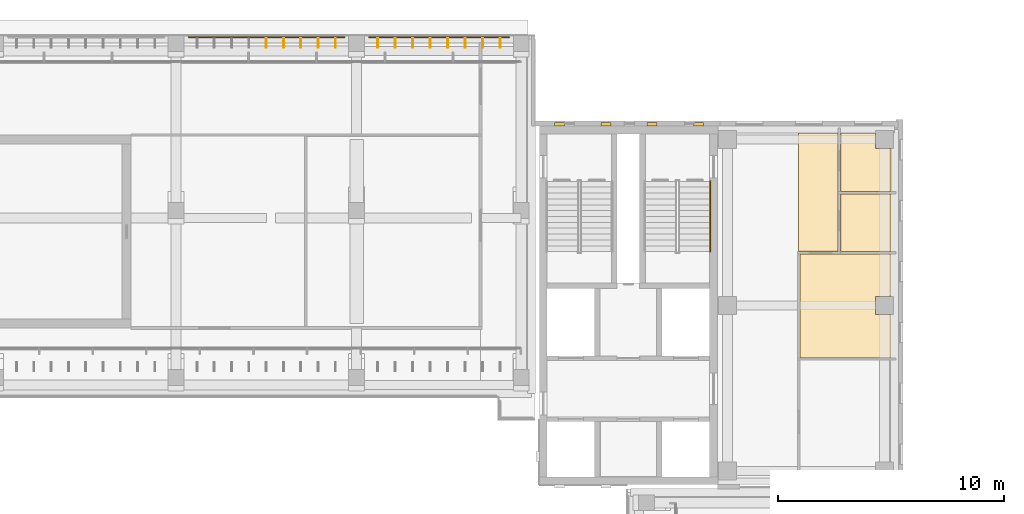
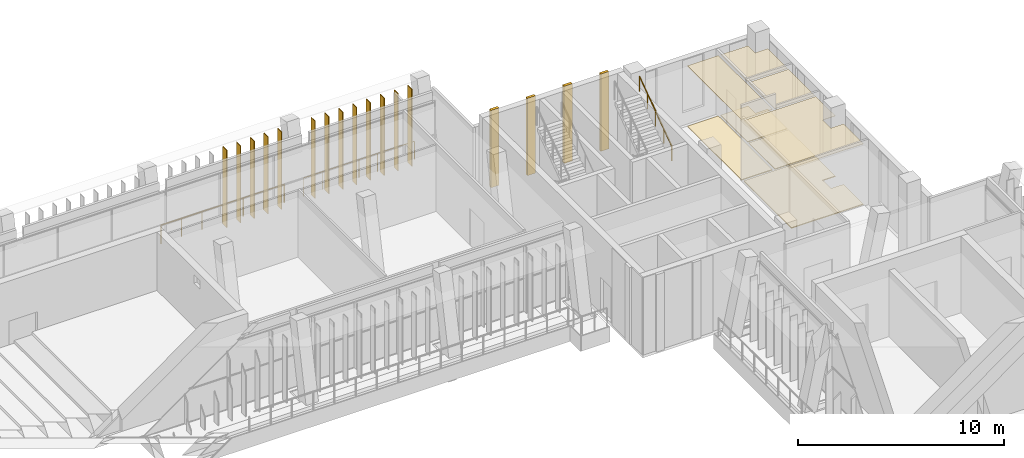
# One storey, part 74 of 74: 13 shading devices, 12 coverings, 3 railings.
"""IFC4 building model written with IfcOpenShell, lengths in metres."""

from ifc_helpers import new_model, si_unit, direction, frame, frame_2d, origin, origin_2d, place, context, subcontext, project, spatial, polyline, rectangle, circle, outline, extrude, material, layer, layer_set, type_object, element, save


model = new_model("IFC4")

# Units and contexts
model_context = context("Model", 3, precision=1e-05, world=origin(), true_north=direction((0.0, 1.0)))
body_context = subcontext(model_context, "Body", "Model", "MODEL_VIEW")
ifc_project = project(units=[si_unit("LENGTHUNIT", "METRE"), si_unit("AREAUNIT", "SQUARE_METRE"), si_unit("VOLUMEUNIT", "CUBIC_METRE"), si_unit("PLANEANGLEUNIT", "RADIAN"), si_unit("MASSUNIT", "GRAM", prefix="KILO")], contexts=[model_context])

# Site, building, storey
site_placement = place(None, origin())
site = spatial("IfcSite", under=ifc_project, at=site_placement, CompositionType="ELEMENT")
building_placement = place(site_placement, origin())
building = spatial("IfcBuilding", under=site, at=building_placement, Name="Lantern Court Media Centre", CompositionType="ELEMENT")
storey_placement = place(building_placement, frame((0.0, 0.0, 19.199951171875)))
storey = spatial("IfcBuildingStorey", under=building, at=storey_placement, Name="L04", CompositionType="ELEMENT", Elevation=19.199951171875)

# Coverings
ifc_material_1 = material(Name="Carpet")
ifc_layer_1 = layer(ifc_material_1, 0.050048828125)
ifc_layer_set_1 = layer_set([ifc_layer_1], Name="Carpet")
covering_type_1 = type_object("IfcCoveringType", Name="Carpet floor finish", PredefinedType="FLOORING", material=ifc_layer_set_1)
covering_1_placement = place(storey_placement, origin())
element("IfcCovering", 1, at=covering_1_placement, inside=storey, type_object=covering_type_1, Name="Broadcast Programming Office 05 floor finish", PredefinedType="FLOORING", context=body_context, shape_type="SweptSolid", body=[
    extrude(outline(polyline([(95.699951171875, 101.72607421875), (91.66748046875, 101.72607421875), (91.66748046875, 106.318603515625), (95.699951171875, 106.3310546875), (95.699951171875, 104.455078125), (94.9951171875, 104.449951171875), (94.99609375, 103.646728515625), (95.699951171875, 103.64501953125), (95.699951171875, 101.72607421875)])), origin(), (0.0, 0.0, 1.0), 0.050048828125),
])
covering_2_placement = place(storey_placement, origin())
element("IfcCovering", 2, at=covering_2_placement, inside=storey, type_object=covering_type_1, Name="WC Male floor finish", PredefinedType="FLOORING", context=body_context, shape_type="SweptSolid", body=[
    extrude(outline(polyline([(95.699951171875, 109.097900390625), (93.467529296875, 109.097900390625), (93.467529296875, 111.699951171875), (94.9951171875, 111.699951171875), (94.99658203125, 110.99658203125), (95.699951171875, 110.9951171875), (95.699951171875, 109.097900390625)])), origin(), (0.0, 0.0, 1.0), 0.050048828125),
])
covering_3_placement = place(storey_placement, origin())
element("IfcCovering", 3, at=covering_3_placement, inside=storey, type_object=covering_type_1, Name="WC Female floor finish", PredefinedType="FLOORING", context=body_context, shape_type="SweptSolid", body=[
    extrude(outline(polyline([(95.699951171875, 106.44091796875), (93.467529296875, 106.44091796875), (93.467529296875, 108.988037109375), (95.699951171875, 108.988037109375), (95.699951171875, 106.44091796875)])), origin(), (0.0, 0.0, 1.0), 0.050048828125),
])

# Railings
ifc_material_2 = material(Name="Powder-coated steel", Category="steel")
railing_type_1 = type_object("IfcRailingType", Name="Floor edge guard 1100", PredefinedType="GUARDRAIL", material=ifc_material_2)
railing_1_placement = place(storey_placement, frame((64.56396484375, 115.93994140625, 0.0)))
element("IfcRailing", 4, at=railing_1_placement, inside=storey, type_object=railing_type_1, Name="L04 edge guard 137", PredefinedType="GUARDRAIL", context=body_context, shape_type="SweptSolid", body=[
    extrude(circle(Radius=0.02392578125, at=origin_2d()), frame((0.0, 0.0, 1.076171875), z_axis=(1.0, 0.0, 0.0), x_axis=(0.0, 1.0, 0.0)), (0.0, 0.0, 1.0), 6.89794921875),
    extrude(circle(Radius=0.02099609375, at=origin_2d()), origin(), (0.0, 0.0, 1.0), 1.052001953125),
    extrude(circle(Radius=0.02099609375, at=origin_2d()), frame((1.149658203125, 0.0, 0.0)), (0.0, 0.0, 1.0), 1.052001953125),
    extrude(circle(Radius=0.02099609375, at=origin_2d()), frame((2.29931640625, 0.0, 0.0)), (0.0, 0.0, 1.0), 1.052001953125),
    extrude(circle(Radius=0.02099609375, at=origin_2d()), frame((3.448974609375, 0.0, 0.0)), (0.0, 0.0, 1.0), 1.052001953125),
    extrude(circle(Radius=0.02099609375, at=origin_2d()), frame((4.5986328125, 0.0, 0.0)), (0.0, 0.0, 1.0), 1.052001953125),
    extrude(circle(Radius=0.02099609375, at=origin_2d()), frame((5.748291015625, 0.0, 0.0)), (0.0, 0.0, 1.0), 1.052001953125),
    extrude(circle(Radius=0.02099609375, at=origin_2d()), frame((6.89794921875, 0.0, 0.0)), (0.0, 0.0, 1.0), 1.052001953125),
])
railing_2_placement = place(storey_placement, frame((72.56201171875, 115.93994140625, 0.0)))
element("IfcRailing", 5, at=railing_2_placement, inside=storey, type_object=railing_type_1, Name="L04 edge guard 138", PredefinedType="GUARDRAIL", context=body_context, shape_type="SweptSolid", body=[
    extrude(circle(Radius=0.02392578125, at=origin_2d()), frame((0.0, 0.0, 1.076171875), z_axis=(1.0, 0.0, 0.0), x_axis=(0.0, 1.0, 0.0)), (0.0, 0.0, 1.0), 6.197998046875),
    extrude(circle(Radius=0.02099609375, at=origin_2d()), origin(), (0.0, 0.0, 1.0), 1.052001953125),
    extrude(circle(Radius=0.02099609375, at=origin_2d()), frame((1.032958984375, 0.0, 0.0)), (0.0, 0.0, 1.0), 1.052001953125),
    extrude(circle(Radius=0.02099609375, at=origin_2d()), frame((2.06591796875, 0.0, 0.0)), (0.0, 0.0, 1.0), 1.052001953125),
    extrude(circle(Radius=0.02099609375, at=origin_2d()), frame((3.09912109375, 0.0, 0.0)), (0.0, 0.0, 1.0), 1.052001953125),
    extrude(circle(Radius=0.02099609375, at=origin_2d()), frame((4.132080078125, 0.0, 0.0)), (0.0, 0.0, 1.0), 1.052001953125),
    extrude(circle(Radius=0.02099609375, at=origin_2d()), frame((5.1650390625, 0.0, 0.0)), (0.0, 0.0, 1.0), 1.052001953125),
    extrude(circle(Radius=0.02099609375, at=origin_2d()), frame((6.197998046875, 0.0, 0.0)), (0.0, 0.0, 1.0), 1.052001953125),
])

# Coverings
ifc_material_3 = material(Name="Honed limestone cladding", Category="masonry")
ifc_layer_2 = layer(ifc_material_3, 0.14990234375)
ifc_layer_set_2 = layer_set([ifc_layer_2], Name="Honed limestone cladding")
covering_type_2 = type_object("IfcCoveringType", Name="Limestone pilaster cladding 150", PredefinedType="CLADDING", material=ifc_layer_set_2)
covering_4_placement = place(storey_placement, frame((80.77490234375, 112.074951171875, 0.0), z_axis=(0.0, 0.0, 1.0), x_axis=(1.0, 0.0, 0.0)))
element("IfcCovering", 6, at=covering_4_placement, inside=storey, type_object=covering_type_2, Name="Limestone pilaster rib", PredefinedType="CLADDING", context=body_context, shape_type="SweptSolid", body=[
    extrude(rectangle(XDim=0.4501953125, YDim=0.14990234375, at=frame_2d((0.22509765625, 0.0))), origin(), (0.0, 0.0, 1.0), 4.580078125),
])
for number, where, z_axis, x_axis, name in (
    (7, (82.824951171875, 112.074951171875, 0.0), (0.0, 0.0, 1.0), (1.0, 0.0, 0.0), "Limestone pilaster rib"),
    (8, (84.875, 112.074951171875, 0.0), (0.0, 0.0, 1.0), (1.0, 0.0, 0.0), "Limestone pilaster rib"),
    (9, (86.925048828125, 112.074951171875, 0.0), (0.0, 0.0, 1.0), (1.0, 0.0, 0.0), "Limestone pilaster rib"),
):
    element("IfcCovering", number, at=place(storey_placement, frame(where, z_axis=z_axis, x_axis=x_axis)), inside=storey, type_object=covering_type_2, Name=name, PredefinedType="CLADDING", context=body_context, shape_type="SweptSolid", body=[
        extrude(rectangle(XDim=0.449951171875, YDim=0.14990234375, at=frame_2d((0.22509765625, 0.0))), origin(), (0.0, 0.0, 1.0), 4.580078125),
    ])

# Railing
railing_type_2 = type_object("IfcRailingType", Name="Stair handrail 900", PredefinedType="HANDRAIL", material=ifc_material_2)
railing_3_placement = place(storey_placement, frame((87.674072265625, 106.429931640625, 2.584716796875)))
element("IfcRailing", 10, at=railing_3_placement, inside=storey, type_object=railing_type_2, Name="L04 ST-NEA stair handrail 2", PredefinedType="HANDRAIL", context=body_context, shape_type="SweptSolid", body=[
    extrude(circle(Radius=0.02392578125, at=origin_2d()), frame((0.0, 0.0, 0.8759765625), z_axis=(0.0, 0.815376961211, 0.578930402662), x_axis=(-1.0, 0.0, 0.0)), (0.0, 0.0, 1.0), 3.82666015625),
    extrude(circle(Radius=0.02099609375, at=origin_2d()), origin(), (0.0, 0.0, 1.0), 0.851806640625),
    extrude(circle(Radius=0.02099609375, at=origin_2d()), frame((0.0, 0.780029296875, 0.5537109375)), (0.0, 0.0, 1.0), 0.851806640625),
    extrude(circle(Radius=0.02099609375, at=origin_2d()), frame((0.0, 1.56005859375, 1.107666015625)), (0.0, 0.0, 1.0), 0.851806640625),
    extrude(circle(Radius=0.02099609375, at=origin_2d()), frame((0.0, 2.340087890625, 1.66162109375)), (0.0, 0.0, 1.0), 0.851806640625),
    extrude(circle(Radius=0.02099609375, at=origin_2d()), frame((0.0, 3.1201171875, 2.21533203125)), (0.0, 0.0, 1.0), 0.851806640625),
])

# Coverings
ifc_material_4 = material(Name="Mineral fibre ceiling tile")
ifc_layer_3 = layer(ifc_material_4, 0.02001953125)
ifc_layer_set_3 = layer_set([ifc_layer_3], Name="Mineral fibre ceiling tile")
covering_type_3 = type_object("IfcCoveringType", Name="Suspended ceiling tile", PredefinedType="CEILING", material=ifc_layer_set_3)
covering_5_placement = place(storey_placement, frame((0.0, 0.0, 3.60009765625)))
element("IfcCovering", 11, at=covering_5_placement, inside=storey, type_object=covering_type_3, Name="Broadcast Programming Office 05 ceiling", PredefinedType="CEILING", context=body_context, shape_type="SweptSolid", body=[
    extrude(outline(polyline([(95.699951171875, 101.721435546875), (91.6630859375, 101.721435546875), (91.6630859375, 106.322998046875), (95.699951171875, 106.33544921875), (95.699951171875, 104.450439453125), (94.99951171875, 104.449951171875), (94.99951171875, 103.649658203125), (95.699951171875, 103.6494140625), (95.699951171875, 101.721435546875)])), origin(), (0.0, 0.0, 1.0), 0.02001953125),
])
covering_6_placement = place(storey_placement, frame((0.0, 0.0, 3.60009765625)))
element("IfcCovering", 12, at=covering_6_placement, inside=storey, type_object=covering_type_3, Name="WC Lobby ceiling", PredefinedType="CEILING", context=body_context, shape_type="SweptSolid", body=[
    extrude(outline(polyline([(91.60009765625, 111.699951171875), (93.3369140625, 111.699951171875), (93.3369140625, 106.448974609375), (91.60009765625, 106.448974609375), (91.60009765625, 111.699951171875)])), origin(), (0.0, 0.0, 1.0), 0.02001953125),
])
covering_7_placement = place(storey_placement, frame((0.0, 0.0, 3.60009765625)))
element("IfcCovering", 13, at=covering_7_placement, inside=storey, type_object=covering_type_3, Name="WC Male ceiling", PredefinedType="CEILING", context=body_context, shape_type="SweptSolid", body=[
    extrude(outline(polyline([(95.699951171875, 109.093505859375), (93.462890625, 109.093505859375), (93.462890625, 111.699951171875), (94.99951171875, 111.699951171875), (94.999755859375, 110.999755859375), (95.699951171875, 110.99951171875), (95.699951171875, 109.093505859375)])), origin(), (0.0, 0.0, 1.0), 0.02001953125),
])
covering_8_placement = place(storey_placement, frame((0.0, 0.0, 3.60009765625)))
element("IfcCovering", 14, at=covering_8_placement, inside=storey, type_object=covering_type_3, Name="WC Female ceiling", PredefinedType="CEILING", context=body_context, shape_type="SweptSolid", body=[
    extrude(outline(polyline([(95.699951171875, 106.4365234375), (93.462890625, 106.4365234375), (93.462890625, 108.992431640625), (95.699951171875, 108.992431640625), (95.699951171875, 106.4365234375)])), origin(), (0.0, 0.0, 1.0), 0.02001953125),
])
ifc_material_5 = material(Name="Terrazzo")
ifc_layer_4 = layer(ifc_material_5, 0.050048828125)
ifc_layer_set_4 = layer_set([ifc_layer_4], Name="Terrazzo")
covering_type_4 = type_object("IfcCoveringType", Name="Terrazzo floor finish", PredefinedType="FLOORING", material=ifc_layer_set_4)
covering_9_placement = place(storey_placement, origin())
element("IfcCovering", 15, at=covering_9_placement, inside=storey, type_object=covering_type_4, Name="WC Lobby floor finish", PredefinedType="FLOORING", context=body_context, shape_type="SweptSolid", body=[
    extrude(outline(polyline([(91.60009765625, 111.699951171875), (93.33251953125, 111.699951171875), (93.33251953125, 106.45361328125), (91.60009765625, 106.45361328125), (91.60009765625, 111.699951171875)])), origin(), (0.0, 0.0, 1.0), 0.050048828125),
])

# Shading devices
ifc_material_6 = material(Name="Bronze anodised aluminium louvre", Category="aluminium")
ifc_layer_5 = layer(ifc_material_6, 0.0400390625)
ifc_layer_set_5 = layer_set([ifc_layer_5], Name="Bronze anodised aluminium louvre")
shading_device_type = type_object("IfcShadingDeviceType", Name="Vertical louvre 40x400 full storey", PredefinedType="USERDEFINED", material=ifc_layer_set_5)
for number, where, z_axis, x_axis, name in (
    (16, (68.0, 115.679931640625, 0.0), (0.0, 0.0, 1.0), (1.0, 0.0, 0.0), "Vertical louvre N outer L04"),
    (17, (68.7666015625, 115.679931640625, 0.0), (0.0, 0.0, 1.0), (1.0, 0.0, 0.0), "Vertical louvre N outer L04"),
    (18, (69.533447265625, 115.679931640625, 0.0), (0.0, 0.0, 1.0), (1.0, 0.0, 0.0), "Vertical louvre N outer L04"),
    (19, (70.300048828125, 115.679931640625, 0.0), (0.0, 0.0, 1.0), (1.0, 0.0, 0.0), "Vertical louvre N outer L04"),
    (20, (71.066650390625, 115.679931640625, 0.0), (0.0, 0.0, 1.0), (1.0, 0.0, 0.0), "Vertical louvre N outer L04"),
    (21, (72.9375, 115.679931640625, 0.0), (0.0, 0.0, 1.0), (1.0, 0.0, 0.0), "Vertical louvre N outer L04"),
    (22, (73.71240234375, 115.679931640625, 0.0), (0.0, 0.0, 1.0), (1.0, 0.0, 0.0), "Vertical louvre N outer L04"),
    (23, (74.487548828125, 115.679931640625, 0.0), (0.0, 0.0, 1.0), (1.0, 0.0, 0.0), "Vertical louvre N outer L04"),
    (24, (75.262451171875, 115.679931640625, 0.0), (0.0, 0.0, 1.0), (1.0, 0.0, 0.0), "Vertical louvre N outer L04"),
    (25, (76.03759765625, 115.679931640625, 0.0), (0.0, 0.0, 1.0), (1.0, 0.0, 0.0), "Vertical louvre N outer L04"),
    (26, (76.8125, 115.679931640625, 0.0), (0.0, 0.0, 1.0), (1.0, 0.0, 0.0), "Vertical louvre N outer L04"),
    (27, (77.58740234375, 115.679931640625, 0.0), (0.0, 0.0, 1.0), (1.0, 0.0, 0.0), "Vertical louvre N outer L04"),
    (28, (78.362548828125, 115.679931640625, 0.0), (0.0, 0.0, 1.0), (1.0, 0.0, 0.0), "Vertical louvre N outer L04"),
):
    element("IfcShadingDevice", number, at=place(storey_placement, frame(where, z_axis=z_axis, x_axis=x_axis)), inside=storey, type_object=shading_device_type, Name=name, ObjectType="VERTICAL LOUVRE", PredefinedType="USERDEFINED", context=body_context, shape_type="SweptSolid", body=[
        extrude(rectangle(XDim=0.0400390625, YDim=0.39990234375, at=origin_2d()), origin(), (0.0, 0.0, 1.0), 4.580078125),
    ])

save(model, "model.ifc")
